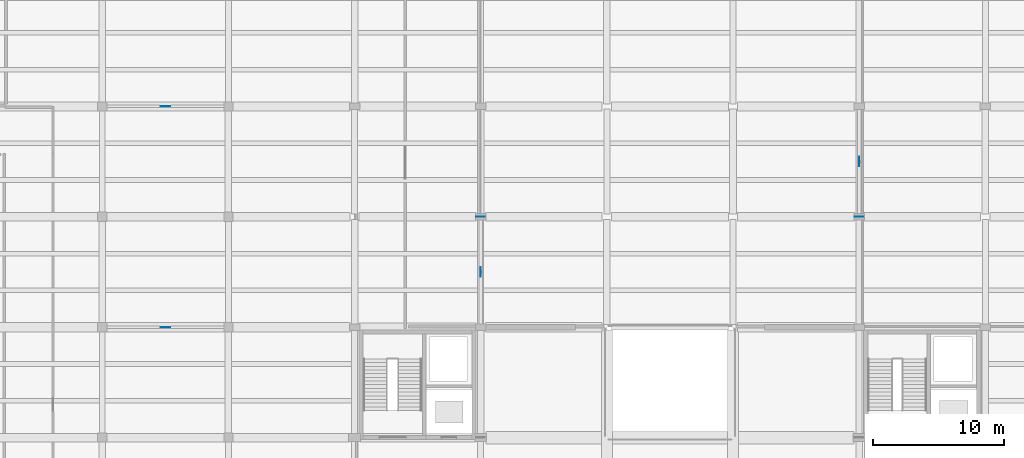
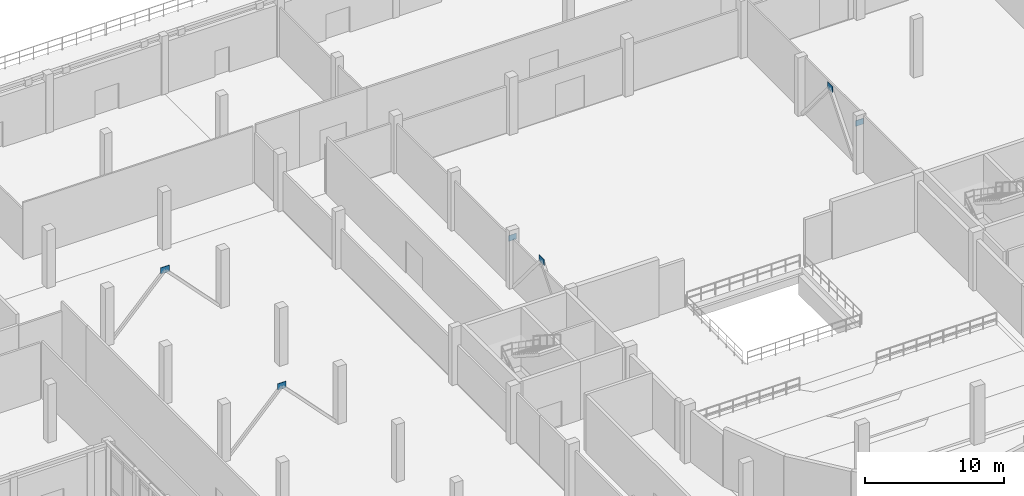
# One storey, part 47 of 71: 6 plates.
"""IFC4 building model written with IfcOpenShell, lengths in metres."""

from ifc_helpers import new_model, si_unit, direction, frame, origin, origin_2d, place, context, subcontext, project, spatial, rectangle, extrude, material, layer, layer_set, type_object, element, save


model = new_model("IFC4")

# Units and contexts
model_context = context("Model", 3, precision=1e-05, world=origin(), true_north=direction((0.0, 1.0)))
body_context = subcontext(model_context, "Body", "Model", "MODEL_VIEW")
ifc_project = project(units=[si_unit("LENGTHUNIT", "METRE"), si_unit("AREAUNIT", "SQUARE_METRE"), si_unit("VOLUMEUNIT", "CUBIC_METRE"), si_unit("PLANEANGLEUNIT", "RADIAN"), si_unit("MASSUNIT", "GRAM", prefix="KILO")], contexts=[model_context])

# Site, building, storey
site_placement = place(None, origin())
site = spatial("IfcSite", under=ifc_project, at=site_placement, CompositionType="ELEMENT")
building_placement = place(site_placement, origin())
building = spatial("IfcBuilding", under=site, at=building_placement, Name="Lornevale Opera House", CompositionType="ELEMENT")
storey_placement = place(building_placement, origin())
storey = spatial("IfcBuildingStorey", under=building, at=storey_placement, Name="L01", CompositionType="ELEMENT", Elevation=0.0)

# Plates
ifc_material = material(Name="Structural Steel CSA G40.21 Grade 350W (350 MPa)", Category="steel")
ifc_layer_1 = layer(ifc_material, 0.02392578125)
ifc_layer_set_1 = layer_set([ifc_layer_1], Name="Structural Steel CSA G40.21 Grade 350W (350 MPa)")
plate_type_1 = type_object("IfcPlateType", Name="Chevron Brace Gusset 720x550x24", PredefinedType="USERDEFINED", material=ifc_layer_set_1)
for number, where, z_axis, x_axis, name in (
    (1, (67.199951171875, 71.39990234375, 4.544921875), (0.0, 0.0, 1.0), (0.0, 1.0, 0.0), "Chevron Brace Gusset PT-0053"),
    (2, (96.0, 79.800048828125, 4.544921875), (0.0, 0.0, 1.0), (0.0, 1.0, 0.0), "Chevron Brace Gusset PT-0059"),
    (3, (43.199951171875, 67.199951171875, 4.4951171875), (0.0, 0.0, 1.0), (1.0, 0.0, 0.0), "Chevron Brace Gusset PT-0066"),
    (4, (43.199951171875, 84.0, 4.4951171875), (0.0, 0.0, 1.0), (1.0, 0.0, 0.0), "Chevron Brace Gusset PT-0070"),
):
    element("IfcPlate", number, at=place(storey_placement, frame(where, z_axis=z_axis, x_axis=x_axis)), inside=storey, type_object=plate_type_1, Name=name, ObjectType="GUSSET PLATE", PredefinedType="USERDEFINED", context=body_context, shape_type="SweptSolid", body=[
        extrude(rectangle(XDim=0.719970703125, YDim=0.02392578125, at=origin_2d()), origin(), (0.0, 0.0, 1.0), 0.550048828125),
    ])
ifc_layer_2 = layer(ifc_material, 0.030029296875)
ifc_layer_set_2 = layer_set([ifc_layer_2], Name="Structural Steel CSA G40.21 Grade 350W (350 MPa)")
plate_type_2 = type_object("IfcPlateType", Name="Transfer Bearing Stiffener 650x500x30", PredefinedType="USERDEFINED", material=ifc_layer_set_2)
for number, where, z_axis, x_axis, name in (
    (5, (67.199951171875, 75.60009765625, 4.050048828125), (0.0, 0.0, 1.0), (1.0, 0.0, 0.0), "Transfer Bearing Stiffener PT-0051"),
    (6, (96.0, 75.60009765625, 4.050048828125), (0.0, 0.0, 1.0), (1.0, 0.0, 0.0), "Transfer Bearing Stiffener PT-0052"),
):
    element("IfcPlate", number, at=place(storey_placement, frame(where, z_axis=z_axis, x_axis=x_axis)), inside=storey, type_object=plate_type_2, Name=name, ObjectType="GUSSET PLATE", PredefinedType="USERDEFINED", context=body_context, shape_type="SweptSolid", body=[
        extrude(rectangle(XDim=0.64990234375, YDim=0.030029296875, at=origin_2d()), origin(), (0.0, 0.0, 1.0), 0.5),
    ])

save(model, "model.ifc")
